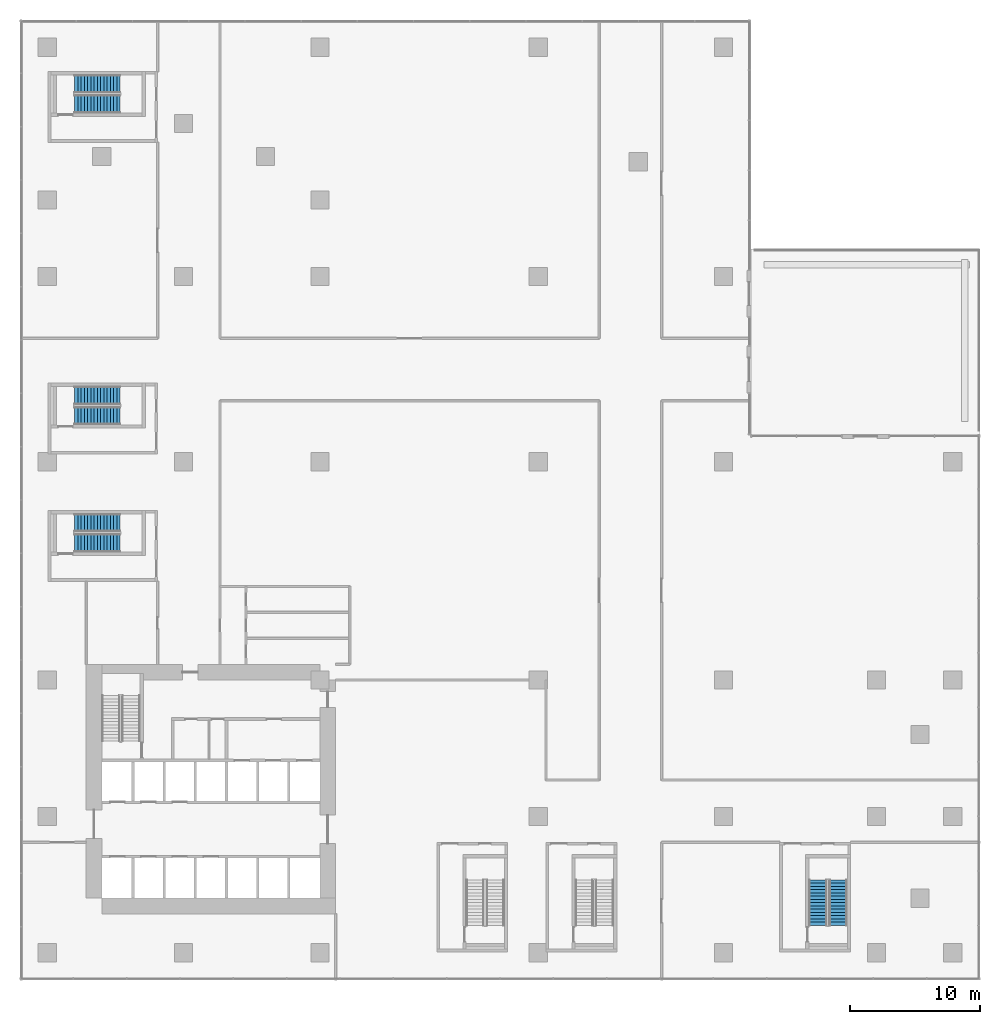
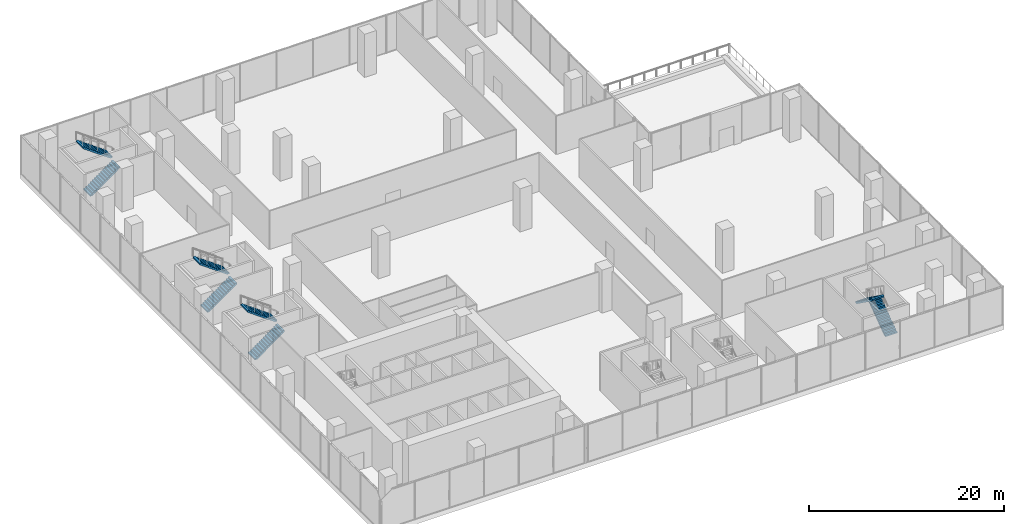
# One storey, part 18 of 23: 8 stair flights, 4 elements without a shape of their own.
"""IFC4 building model written with IfcOpenShell, lengths in metres."""

from ifc_helpers import new_model, si_unit, direction, frame, origin, place, context, subcontext, project, spatial, polyline, outline, extrude, source, transform, mapped, material, type_object, element, aggregate, save


model = new_model("IFC4")

# Units and contexts
model_context = context("Model", 3, precision=1e-05, world=origin(), true_north=direction((0.0, 1.0)))
body_context = subcontext(model_context, "Body", "Model", "MODEL_VIEW")
ifc_project = project(units=[si_unit("LENGTHUNIT", "METRE"), si_unit("AREAUNIT", "SQUARE_METRE"), si_unit("VOLUMEUNIT", "CUBIC_METRE"), si_unit("PLANEANGLEUNIT", "RADIAN"), si_unit("MASSUNIT", "GRAM", prefix="KILO")], contexts=[model_context])

# Site, building, storey
site_placement = place(None, origin())
site = spatial("IfcSite", under=ifc_project, at=site_placement, CompositionType="ELEMENT")
building_placement = place(site_placement, origin())
building = spatial("IfcBuilding", under=site, at=building_placement, Name="Aurelian Terraces", CompositionType="ELEMENT")
storey_placement = place(building_placement, frame((0.0, 0.0, 23.7)))
storey = spatial("IfcBuildingStorey", under=building, at=storey_placement, Name="L04", CompositionType="ELEMENT", Elevation=23.7)

# Stair, stair flights
ifc_material = material(Name="Concrete fc' 40 MPa", Category="concrete")
stair_type = type_object("IfcStairType", Name="Stair 1400", PredefinedType="HALF_TURN_STAIR", material=ifc_material)
stair_1_placement = place(storey_placement, origin())
stair_1 = element("IfcStair", 1, at=stair_1_placement, inside=storey, type_object=stair_type, Name="L04 S3", PredefinedType="HALF_TURN_STAIR")
stair_flight_type = type_object("IfcStairFlightType", Name="Stair flight 1400", PredefinedType="STRAIGHT", material=ifc_material)
shared_shape = source(origin(), body_context, "Body", "SweptSolid", [
    extrude(outline(polyline([(0.0, 0.0), (0.0, 0.18), (0.25, 0.18), (0.25, 0.36), (0.5, 0.36), (0.5, 0.54), (0.75, 0.54), (0.75, 0.72), (1.0, 0.72), (1.0, 0.9), (1.25, 0.9), (1.25, 1.08), (1.5, 1.08), (1.5, 1.26), (1.75, 1.26), (1.75, 1.44), (2.0, 1.44), (2.0, 1.62), (2.25, 1.62), (2.25, 1.8), (2.5, 1.8), (2.5, 1.98), (2.75, 1.98), (2.75, 2.16), (3.0, 2.16), (3.0, 2.34), (3.25, 2.34), (3.25, 2.52), (3.5, 2.52), (3.5, 2.7), (3.5, 2.3352), (0.2567, 0.0), (0.0, 0.0)])), frame((0.0, 0.7, 0.0), z_axis=(0.0, -1.0, 0.0), x_axis=(1.0, 0.0, 0.0)), (0.0, 0.0, 1.0), 1.4),
])
stair_flight_1_placement = place(storey_placement, frame((2.1, 41.35, 2e-08), z_axis=(0.0, 0.0, 1.0), x_axis=(1.0, 0.0, 0.0)))
stair_flight_1 = element("IfcStairFlight", 2, at=stair_flight_1_placement, type_object=stair_flight_type, Name="S3 flight 1", NumberOfRisers=15, NumberOfTreads=14, PredefinedType="STRAIGHT", RiserHeight=0.18, TreadLength=0.25, context=body_context, shape_type="MappedRepresentation", body=[
    mapped(shared_shape, transform((0.0, 0.0, 0.0), scale=1.0)),
])
stair_flight_2_placement = place(storey_placement, frame((5.6, 42.9, 2.700000019999999), z_axis=(0.0, 0.0, 1.0), x_axis=(-1.0, 0.0, 0.0)))
stair_flight_2 = element("IfcStairFlight", 3, at=stair_flight_2_placement, type_object=stair_flight_type, Name="S3 flight 2", NumberOfRisers=15, NumberOfTreads=14, PredefinedType="STRAIGHT", RiserHeight=0.18, TreadLength=0.25, context=body_context, shape_type="MappedRepresentation", body=[
    mapped(shared_shape, transform((0.0, 0.0, 0.0), scale=1.0)),
])
aggregate(stair_1, [stair_flight_1, stair_flight_2])

stair_2_placement = place(storey_placement, origin())
stair_2 = element("IfcStair", 4, at=stair_2_placement, inside=storey, type_object=stair_type, Name="L04 S4", PredefinedType="HALF_TURN_STAIR")
stair_flight_3_placement = place(storey_placement, frame((2.1, 31.55, 2e-08), z_axis=(0.0, 0.0, 1.0), x_axis=(1.0, 0.0, 0.0)))
stair_flight_3 = element("IfcStairFlight", 5, at=stair_flight_3_placement, type_object=stair_flight_type, Name="S4 flight 1", NumberOfRisers=15, NumberOfTreads=14, PredefinedType="STRAIGHT", RiserHeight=0.18, TreadLength=0.25, context=body_context, shape_type="MappedRepresentation", body=[
    mapped(shared_shape, transform((0.0, 0.0, 0.0), scale=1.0)),
])
stair_flight_4_placement = place(storey_placement, frame((5.6, 33.1, 2.700000019999999), z_axis=(0.0, 0.0, 1.0), x_axis=(-1.0, 0.0, 0.0)))
stair_flight_4 = element("IfcStairFlight", 6, at=stair_flight_4_placement, type_object=stair_flight_type, Name="S4 flight 2", NumberOfRisers=15, NumberOfTreads=14, PredefinedType="STRAIGHT", RiserHeight=0.18, TreadLength=0.25, context=body_context, shape_type="MappedRepresentation", body=[
    mapped(shared_shape, transform((0.0, 0.0, 0.0), scale=1.0)),
])
aggregate(stair_2, [stair_flight_3, stair_flight_4])

stair_3_placement = place(storey_placement, origin())
stair_3 = element("IfcStair", 7, at=stair_3_placement, inside=storey, type_object=stair_type, Name="L04 S5", PredefinedType="HALF_TURN_STAIR")
stair_flight_5_placement = place(storey_placement, frame((2.1, 65.35, 2e-08), z_axis=(0.0, 0.0, 1.0), x_axis=(1.0, 0.0, 0.0)))
stair_flight_5 = element("IfcStairFlight", 8, at=stair_flight_5_placement, type_object=stair_flight_type, Name="S5 flight 1", NumberOfRisers=15, NumberOfTreads=14, PredefinedType="STRAIGHT", RiserHeight=0.18, TreadLength=0.25, context=body_context, shape_type="MappedRepresentation", body=[
    mapped(shared_shape, transform((0.0, 0.0, 0.0), scale=1.0)),
])
stair_flight_6_placement = place(storey_placement, frame((5.6, 66.9, 2.700000019999999), z_axis=(0.0, 0.0, 1.0), x_axis=(-1.0, 0.0, 0.0)))
stair_flight_6 = element("IfcStairFlight", 9, at=stair_flight_6_placement, type_object=stair_flight_type, Name="S5 flight 2", NumberOfRisers=15, NumberOfTreads=14, PredefinedType="STRAIGHT", RiserHeight=0.18, TreadLength=0.25, context=body_context, shape_type="MappedRepresentation", body=[
    mapped(shared_shape, transform((0.0, 0.0, 0.0), scale=1.0)),
])
aggregate(stair_3, [stair_flight_5, stair_flight_6])

stair_4_placement = place(storey_placement, origin())
stair_4 = element("IfcStair", 10, at=stair_4_placement, inside=storey, type_object=stair_type, Name="L04 S6", PredefinedType="HALF_TURN_STAIR")
stair_flight_7_placement = place(storey_placement, frame((60.9, 2.1, 2e-08), z_axis=(0.0, 0.0, 1.0), x_axis=(0.0, 1.0, 0.0)))
stair_flight_7 = element("IfcStairFlight", 11, at=stair_flight_7_placement, type_object=stair_flight_type, Name="S6 flight 1", NumberOfRisers=15, NumberOfTreads=14, PredefinedType="STRAIGHT", RiserHeight=0.18, TreadLength=0.25, context=body_context, shape_type="MappedRepresentation", body=[
    mapped(shared_shape, transform((0.0, 0.0, 0.0), scale=1.0)),
])
stair_flight_8_placement = place(storey_placement, frame((59.35, 5.6, 2.700000019999999), z_axis=(0.0, 0.0, 1.0), x_axis=(0.0, -1.0, 0.0)))
stair_flight_8 = element("IfcStairFlight", 12, at=stair_flight_8_placement, type_object=stair_flight_type, Name="S6 flight 2", NumberOfRisers=15, NumberOfTreads=14, PredefinedType="STRAIGHT", RiserHeight=0.18, TreadLength=0.25, context=body_context, shape_type="MappedRepresentation", body=[
    mapped(shared_shape, transform((0.0, 0.0, 0.0), scale=1.0)),
])
aggregate(stair_4, [stair_flight_7, stair_flight_8])

save(model, "model.ifc")
